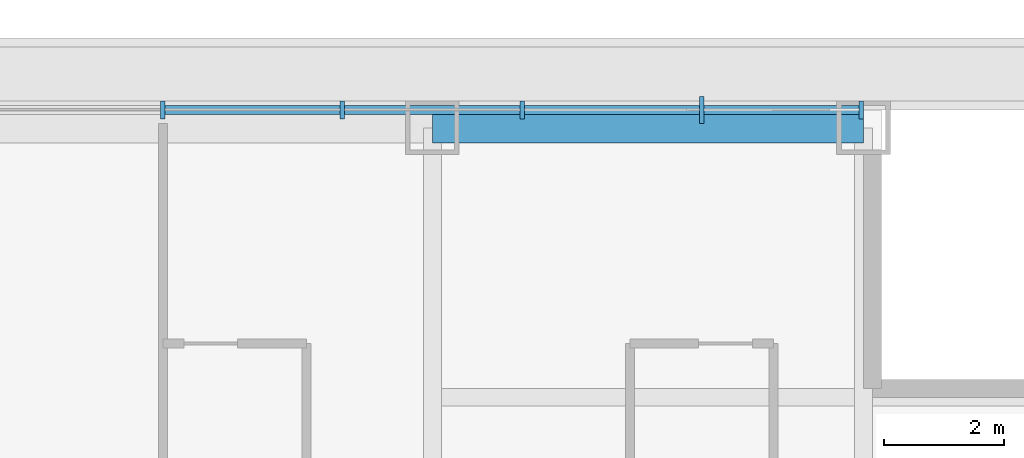
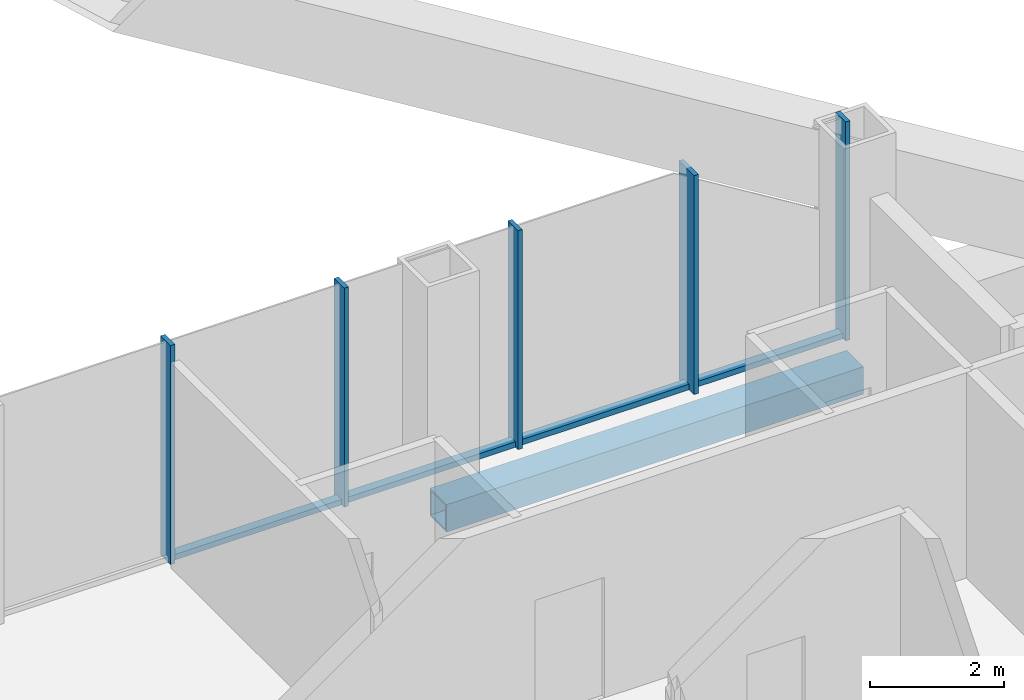
# One storey, part 10 of 21: 9 members, 1 beam, 1 element without a shape of its own.
"""IFC4 building model written with IfcOpenShell, lengths in metres."""

from ifc_helpers import new_model, si_unit, direction, frame, origin, origin_2d, place, context, subcontext, project, spatial, rectangle, hollow_rectangle, extrude, material, layer, layer_set, material_profile, profile_set, type_object, element, aggregate, save


model = new_model("IFC4")

# Units and contexts
model_context = context("Model", 3, precision=1e-05, world=origin(), true_north=direction((0.0, 1.0)))
body_context = subcontext(model_context, "Body", "Model", "MODEL_VIEW")
ifc_project = project(units=[si_unit("LENGTHUNIT", "METRE"), si_unit("AREAUNIT", "SQUARE_METRE"), si_unit("VOLUMEUNIT", "CUBIC_METRE"), si_unit("PLANEANGLEUNIT", "RADIAN"), si_unit("MASSUNIT", "GRAM", prefix="KILO")], contexts=[model_context])

# Site, building, storey
site_placement = place(None, origin())
site = spatial("IfcSite", under=ifc_project, at=site_placement, CompositionType="ELEMENT")
building_placement = place(site_placement, origin())
building = spatial("IfcBuilding", under=site, at=building_placement, Name="Malebo Sky Hospital", CompositionType="ELEMENT")
storey_placement = place(building_placement, frame((0.0, 0.0, 63.0)))
storey = spatial("IfcBuildingStorey", under=building, at=storey_placement, Name="L14", CompositionType="ELEMENT", Elevation=63.0)

# Curtain wall, members
ifc_material_1 = material(Name="Anodised aluminium, natural silver", Category="aluminium")
ifc_layer = layer(ifc_material_1, 0.25)
ifc_layer_set = layer_set([ifc_layer], Name="WARD CURTAIN WALL NORTH AND SOUTH")
curtain_wall_type = type_object("IfcCurtainWallType", Name="WARD CURTAIN WALL NORTH AND SOUTH", PredefinedType="NOTDEFINED", material=ifc_layer_set)
curtain_wall_placement = place(storey_placement, origin())
curtain_wall = element("IfcCurtainWall", 1, at=curtain_wall_placement, inside=storey, type_object=curtain_wall_type, Name="NS curtain wall N", PredefinedType="NOTDEFINED")
ifc_material_profile_1 = material_profile(ifc_material_1, rectangle(XDim=0.14990234375, YDim=0.10009765625, at=origin_2d()), Name="ALUMINIUM TRANSOM 150x100")
ifc_profile_set_1 = profile_set([ifc_material_profile_1], Name="Anodised aluminium, natural silver")
member_type_1 = type_object("IfcMemberType", Name="ALUMINIUM TRANSOM 150x100", PredefinedType="USERDEFINED", material=ifc_profile_set_1)
member_1_placement = place(storey_placement, frame((69.03759765625, 87.5, 0.050048828125), z_axis=(1.0, 0.0, 0.0), x_axis=(0.0, 1.0, 0.0)))
member_1 = element("IfcMember", 2, at=member_1_placement, type_object=member_type_1, Name="Transom 12", ObjectType="TRANSOM", PredefinedType="USERDEFINED", context=body_context, shape_type="SweptSolid", body=[
    extrude(rectangle(XDim=0.14990234375, YDim=0.10009765625, at=origin_2d()), origin(), (0.0, 0.0, 1.0), 2.9248046875),
])
member_2_placement = place(storey_placement, frame((72.03759765625, 87.5, 0.050048828125), z_axis=(1.0, 0.0, 0.0), x_axis=(0.0, 1.0, 0.0)))
member_2 = element("IfcMember", 3, at=member_2_placement, type_object=member_type_1, Name="Transom 13", ObjectType="TRANSOM", PredefinedType="USERDEFINED", context=body_context, shape_type="SweptSolid", body=[
    extrude(rectangle(XDim=0.14990234375, YDim=0.10009765625, at=origin_2d()), origin(), (0.0, 0.0, 1.0), 2.9248046875),
])
member_3_placement = place(storey_placement, frame((75.03759765625, 87.5, 0.050048828125), z_axis=(1.0, 0.0, 0.0), x_axis=(0.0, 1.0, 0.0)))
member_3 = element("IfcMember", 4, at=member_3_placement, type_object=member_type_1, Name="Transom 14", ObjectType="TRANSOM", PredefinedType="USERDEFINED", context=body_context, shape_type="SweptSolid", body=[
    extrude(rectangle(XDim=0.14990234375, YDim=0.10009765625, at=origin_2d()), origin(), (0.0, 0.0, 1.0), 2.9248046875),
])
member_4_placement = place(storey_placement, frame((78.03759765625, 87.5, 0.050048828125), z_axis=(1.0, 0.0, 0.0), x_axis=(0.0, 1.0, 0.0)))
member_4 = element("IfcMember", 5, at=member_4_placement, type_object=member_type_1, Name="Transom 15", ObjectType="TRANSOM", PredefinedType="USERDEFINED", context=body_context, shape_type="SweptSolid", body=[
    extrude(rectangle(XDim=0.14990234375, YDim=0.10009765625, at=origin_2d()), origin(), (0.0, 0.0, 1.0), 2.58740234375),
])
ifc_material_profile_2 = material_profile(ifc_material_1, rectangle(XDim=0.074951171875, YDim=0.300048828125, at=origin_2d()), Name="CW1 ALUMINIUM FIN MULLION 75x300")
ifc_profile_set_2 = profile_set([ifc_material_profile_2], Name="Anodised aluminium, natural silver")
member_type_2 = type_object("IfcMemberType", Name="CW1 ALUMINIUM FIN MULLION 75x300", PredefinedType="MULLION", material=ifc_profile_set_2)
member_5_placement = place(storey_placement, frame((69.0, 87.5, 0.0), z_axis=(0.0, 0.0, 1.0), x_axis=(1.0, 0.0, 0.0)))
member_5 = element("IfcMember", 6, at=member_5_placement, type_object=member_type_2, Name="Fin mullion 12", PredefinedType="MULLION", context=body_context, shape_type="SweptSolid", body=[
    extrude(rectangle(XDim=0.074951171875, YDim=0.300048828125, at=origin_2d()), origin(), (0.0, 0.0, 1.0), 4.0),
])
member_6_placement = place(storey_placement, frame((72.0, 87.5, 0.0), z_axis=(0.0, 0.0, 1.0), x_axis=(1.0, 0.0, 0.0)))
member_6 = element("IfcMember", 7, at=member_6_placement, type_object=member_type_2, Name="Fin mullion 13", PredefinedType="MULLION", context=body_context, shape_type="SweptSolid", body=[
    extrude(rectangle(XDim=0.074951171875, YDim=0.300048828125, at=origin_2d()), origin(), (0.0, 0.0, 1.0), 4.0),
])
member_7_placement = place(storey_placement, frame((75.0, 87.5, 0.0), z_axis=(0.0, 0.0, 1.0), x_axis=(1.0, 0.0, 0.0)))
member_7 = element("IfcMember", 8, at=member_7_placement, type_object=member_type_2, Name="Fin mullion 14", PredefinedType="MULLION", context=body_context, shape_type="SweptSolid", body=[
    extrude(rectangle(XDim=0.074951171875, YDim=0.300048828125, at=origin_2d()), origin(), (0.0, 0.0, 1.0), 4.0),
])
member_8_placement = place(storey_placement, frame((80.66259765625, 87.5, 0.0), z_axis=(0.0, 0.0, 1.0), x_axis=(1.0, 0.0, 0.0)))
member_8 = element("IfcMember", 9, at=member_8_placement, type_object=member_type_2, Name="Fin mullion 16", PredefinedType="MULLION", context=body_context, shape_type="SweptSolid", body=[
    extrude(rectangle(XDim=0.074951171875, YDim=0.300048828125, at=origin_2d()), origin(), (0.0, 0.0, 1.0), 4.0),
])
ifc_material_profile_3 = material_profile(ifc_material_1, rectangle(XDim=0.074951171875, YDim=0.449951171875, at=origin_2d()), Name="CW1 ALUMINIUM FIN MULLION 75x450")
ifc_profile_set_3 = profile_set([ifc_material_profile_3], Name="Anodised aluminium, natural silver")
member_type_3 = type_object("IfcMemberType", Name="CW1 ALUMINIUM FIN MULLION 75x450", PredefinedType="MULLION", material=ifc_profile_set_3)
member_9_placement = place(storey_placement, frame((78.0, 87.5, 0.0), z_axis=(0.0, 0.0, 1.0), x_axis=(1.0, 0.0, 0.0)))
member_9 = element("IfcMember", 10, at=member_9_placement, type_object=member_type_3, Name="Fin mullion 15", PredefinedType="MULLION", context=body_context, shape_type="SweptSolid", body=[
    extrude(rectangle(XDim=0.074951171875, YDim=0.449951171875, at=origin_2d()), origin(), (0.0, 0.0, 1.0), 4.0),
])
aggregate(curtain_wall, [member_5, member_6, member_7, member_9, member_8, member_1, member_2, member_3, member_4])

# Beam
ifc_material_2 = material(Name="Steel S460", Category="steel")
ifc_material_profile_4 = material_profile(ifc_material_2, hollow_rectangle(XDim=0.5, YDim=0.5, WallThickness=0.030029296875, at=origin_2d()), Name="BOX 500x500x30")
ifc_profile_set_4 = profile_set([ifc_material_profile_4], Name="Steel S460")
beam_type = type_object("IfcBeamType", Name="EDGE BEAM BOX 500x500x30", PredefinedType="BEAM", material=ifc_profile_set_4)
beam_placement = place(storey_placement, frame((73.5, 87.199951171875, -0.5), z_axis=(1.0, 0.0, 0.0), x_axis=(0.0, 1.0, 0.0)))
element("IfcBeam", 11, at=beam_placement, inside=storey, type_object=beam_type, Name="Beam 067 L14", PredefinedType="BEAM", context=body_context, shape_type="SweptSolid", body=[
    extrude(hollow_rectangle(XDim=0.5, YDim=0.5, WallThickness=0.030029296875, at=origin_2d()), origin(), (0.0, 0.0, 1.0), 7.199951171875),
])

save(model, "model.ifc")
